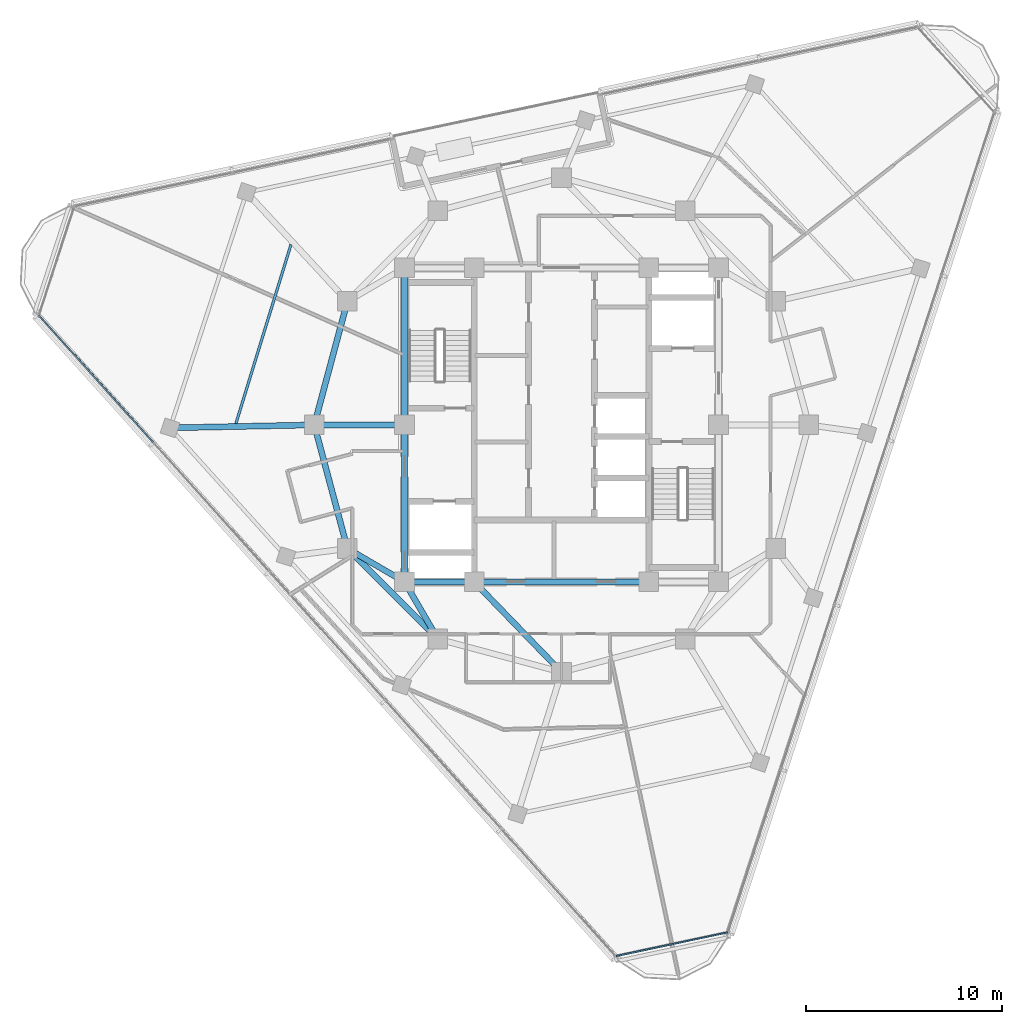
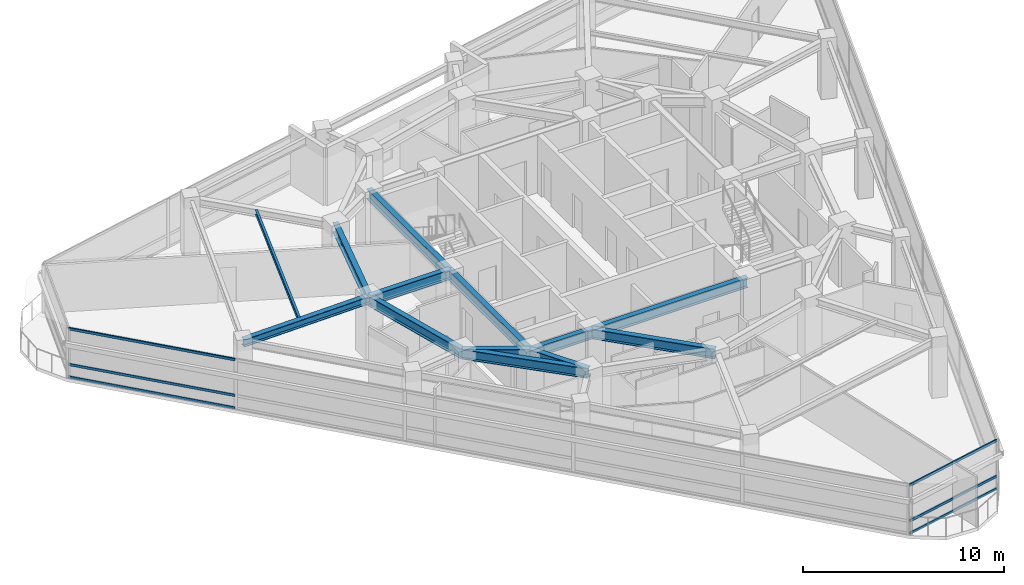
# One storey, part 3 of 15: 13 beams, 6 members, 2 elements without a shape of their own.
"""IFC4 building model written with IfcOpenShell, lengths in metres."""

from ifc_helpers import new_model, si_unit, direction, frame, origin, origin_2d, place, context, subcontext, project, spatial, rectangle, i_section, extrude, material, layer, layer_set, material_profile, profile_set, type_object, element, aggregate, save


model = new_model("IFC4")

# Units and contexts
model_context = context("Model", 3, precision=1e-05, world=origin(), true_north=direction((0.0, 1.0)))
body_context = subcontext(model_context, "Body", "Model", "MODEL_VIEW")
ifc_project = project(units=[si_unit("LENGTHUNIT", "METRE"), si_unit("AREAUNIT", "SQUARE_METRE"), si_unit("VOLUMEUNIT", "CUBIC_METRE"), si_unit("PLANEANGLEUNIT", "RADIAN"), si_unit("MASSUNIT", "GRAM", prefix="KILO")], contexts=[model_context])

# Site, building, storey
site_placement = place(None, origin())
site = spatial("IfcSite", under=ifc_project, at=site_placement, CompositionType="ELEMENT")
building_placement = place(site_placement, origin())
building = spatial("IfcBuilding", under=site, at=building_placement, Name="Terralouvre Media Tower", CompositionType="ELEMENT")
storey_placement = place(building_placement, frame((0.0, 0.0, 290.60009765625)))
storey = spatial("IfcBuildingStorey", under=building, at=storey_placement, Name="L75", CompositionType="ELEMENT", Elevation=290.60009765625)

# Beam
ifc_material_1 = material(Name="Structural steel S355J2", Category="steel")
ifc_material_profile_1 = material_profile(ifc_material_1, i_section(OverallWidth=0.135009765625, OverallDepth=0.27001953125, WebThickness=0.006591796875, FlangeThickness=0.01025390625, at=origin_2d()), Name="IPE 270")
ifc_profile_set_1 = profile_set([ifc_material_profile_1], Name="Structural steel S355J2")
beam_type_1 = type_object("IfcBeamType", Name="Composite Floor Joist J-IPE270 (IPE 270)", PredefinedType="JOIST", material=ifc_profile_set_1)
beam_1_placement = place(storey_placement, frame((-13.788330078125, 9.187744140625, 3.364990234375), z_axis=(-0.294195495195, -0.955745264496, 0.0), x_axis=(0.955745264496, -0.294195495195, 0.0)))
element("IfcBeam", 1, at=beam_1_placement, inside=storey, type_object=beam_type_1, Name="L75 Framing Beam JT-L75-06", PredefinedType="JOIST", context=body_context, shape_type="SweptSolid", body=[
    extrude(i_section(OverallWidth=0.135009765625, OverallDepth=0.27001953125, WebThickness=0.006591796875, FlangeThickness=0.01025390625, at=origin_2d()), origin(), (0.0, 0.0, 1.0), 9.544189453125),
])

# Curtain wall, members
ifc_material_2 = material(Name="Low-iron laminated double glazing with solar-control coating", Category="glass")
ifc_layer_1 = layer(ifc_material_2, 0.1650390625, Name="Faceted Glass-Point Crown Curtain Wall CW-06")
ifc_layer_set_1 = layer_set([ifc_layer_1], Name="Low-iron laminated double glazing with solar-control coating")
curtain_wall_type_1 = type_object("IfcCurtainWallType", Name="Faceted Glass-Point Crown Curtain Wall CW-06", PredefinedType="NOTDEFINED", material=ifc_layer_set_1)
curtain_wall_1_placement = place(storey_placement, origin())
curtain_wall_1 = element("IfcCurtainWall", 2, at=curtain_wall_1_placement, inside=storey, type_object=curtain_wall_type_1, Name="L75 Facade Curtain Wall F2", PredefinedType="NOTDEFINED")
ifc_material_3 = material(Name="Anodised extruded aluminium 6063-T6", Category="aluminium")
ifc_material_profile_2 = material_profile(ifc_material_3, rectangle(XDim=0.074951171875, YDim=0.14990234375, at=origin_2d()), Name="ALU 75x150")
ifc_profile_set_2 = profile_set([ifc_material_profile_2], Name="Anodised extruded aluminium 6063-T6")
member_type = type_object("IfcMemberType", Name="Curtain-Wall Horizontal Transom TR-150", PredefinedType="USERDEFINED", material=ifc_profile_set_2)
member_1_placement = place(storey_placement, frame((-26.64306640625, 5.59423828125, 0.037353515625), z_axis=(0.669130389016, -0.743145021174, 0.0), x_axis=(0.743145021174, 0.669130389016, 0.0)))
member_1 = element("IfcMember", 3, at=member_1_placement, type_object=member_type, Name="CW-06 transom 1.1", ObjectType="TRANSOM", PredefinedType="USERDEFINED", context=body_context, shape_type="SweptSolid", body=[
    extrude(rectangle(XDim=0.074951171875, YDim=0.14990234375, at=origin_2d()), origin(), (0.0, 0.0, 1.0), 8.71142578125),
])
member_2_placement = place(storey_placement, frame((-26.64306640625, 5.59423828125, 0.7998046875), z_axis=(0.669130389016, -0.743145021174, 0.0), x_axis=(0.743145021174, 0.669130389016, 0.0)))
member_2 = element("IfcMember", 4, at=member_2_placement, type_object=member_type, Name="CW-06 transom 1.2", ObjectType="TRANSOM", PredefinedType="USERDEFINED", context=body_context, shape_type="SweptSolid", body=[
    extrude(rectangle(XDim=0.074951171875, YDim=0.14990234375, at=origin_2d()), origin(), (0.0, 0.0, 1.0), 8.71142578125),
])
member_3_placement = place(storey_placement, frame((-26.64306640625, 5.59423828125, 2.96240234375), z_axis=(0.669130389016, -0.743145021174, 0.0), x_axis=(0.743145021174, 0.669130389016, 0.0)))
member_3 = element("IfcMember", 5, at=member_3_placement, type_object=member_type, Name="CW-06 transom 1.3", ObjectType="TRANSOM", PredefinedType="USERDEFINED", context=body_context, shape_type="SweptSolid", body=[
    extrude(rectangle(XDim=0.074951171875, YDim=0.14990234375, at=origin_2d()), origin(), (0.0, 0.0, 1.0), 8.71142578125),
])
aggregate(curtain_wall_1, [member_1, member_2, member_3])

ifc_material_4 = material(Name="Low-iron laminated double glazing with solar-control coating", Category="glass")
ifc_layer_2 = layer(ifc_material_4, 0.1650390625, Name="Rounded Wind-Corner Curved Glazing CW-04")
ifc_layer_set_2 = layer_set([ifc_layer_2], Name="Low-iron laminated double glazing with solar-control coating")
curtain_wall_type_2 = type_object("IfcCurtainWallType", Name="Rounded Wind-Corner Curved Glazing CW-04", PredefinedType="NOTDEFINED", material=ifc_layer_set_2)
curtain_wall_2_placement = place(storey_placement, origin())
curtain_wall_2 = element("IfcCurtainWall", 6, at=curtain_wall_2_placement, inside=storey, type_object=curtain_wall_type_2, Name="L75 Rounded Wind-Corner Curtain Wall C0", PredefinedType="NOTDEFINED")
member_4_placement = place(storey_placement, frame((2.783935546875, -27.0654296875, 0.037353515625), z_axis=(0.978142503597, 0.207935669515, 0.0), x_axis=(-0.207935669515, 0.978142503597, 0.0)))
member_4 = element("IfcMember", 7, at=member_4_placement, type_object=member_type, Name="CW-04 transom 1.1", ObjectType="TRANSOM", PredefinedType="USERDEFINED", context=body_context, shape_type="SweptSolid", body=[
    extrude(rectangle(XDim=0.074951171875, YDim=0.14990234375, at=origin_2d()), origin(), (0.0, 0.0, 1.0), 5.808349609375),
])
member_5_placement = place(storey_placement, frame((2.783935546875, -27.0654296875, 0.7998046875), z_axis=(0.978142503597, 0.207935669515, 0.0), x_axis=(-0.207935669515, 0.978142503597, 0.0)))
member_5 = element("IfcMember", 8, at=member_5_placement, type_object=member_type, Name="CW-04 transom 1.2", ObjectType="TRANSOM", PredefinedType="USERDEFINED", context=body_context, shape_type="SweptSolid", body=[
    extrude(rectangle(XDim=0.074951171875, YDim=0.14990234375, at=origin_2d()), origin(), (0.0, 0.0, 1.0), 5.808349609375),
])
member_6_placement = place(storey_placement, frame((2.783935546875, -27.0654296875, 2.96240234375), z_axis=(0.978142503597, 0.207935669515, 0.0), x_axis=(-0.207935669515, 0.978142503597, 0.0)))
member_6 = element("IfcMember", 9, at=member_6_placement, type_object=member_type, Name="CW-04 transom 1.3", ObjectType="TRANSOM", PredefinedType="USERDEFINED", context=body_context, shape_type="SweptSolid", body=[
    extrude(rectangle(XDim=0.074951171875, YDim=0.14990234375, at=origin_2d()), origin(), (0.0, 0.0, 1.0), 5.808349609375),
])
aggregate(curtain_wall_2, [member_4, member_5, member_6])

# Beams
ifc_material_5 = material(Name="Structural steel S355J2", Category="steel")
ifc_material_profile_3 = material_profile(ifc_material_5, i_section(OverallWidth=0.300048828125, OverallDepth=0.449951171875, WebThickness=0.013916015625, FlangeThickness=0.02587890625, at=origin_2d()), Name="HEB 450")
ifc_profile_set_3 = profile_set([ifc_material_profile_3], Name="Structural steel S355J2")
beam_type_2 = type_object("IfcBeamType", Name="Primary Floor Girder B-HEB450 (HEB 450)", PredefinedType="BEAM", material=ifc_profile_set_3)
beam_2_placement = place(storey_placement, frame((-12.60009765625, 0.0, 3.27490234375), z_axis=(-0.999787942628, -0.020592954534, 0.0), x_axis=(0.020592954534, -0.999787942628, 0.0)))
element("IfcBeam", 10, at=beam_2_placement, inside=storey, type_object=beam_type_2, Name="L75 Framing Beam BM-L75-RD01", PredefinedType="BEAM", context=body_context, shape_type="SweptSolid", body=[
    extrude(i_section(OverallWidth=0.300048828125, OverallDepth=0.449951171875, WebThickness=0.013916015625, FlangeThickness=0.02587890625, at=origin_2d()), origin(), (0.0, 0.0, 1.0), 7.350341796875),
])
ifc_material_6 = material(Name="Structural steel S460M", Category="steel")
ifc_material_profile_4 = material_profile(ifc_material_6, i_section(OverallWidth=0.300048828125, OverallDepth=0.60009765625, WebThickness=0.015380859375, FlangeThickness=0.030029296875, at=origin_2d()), Name="HEB 600")
ifc_profile_set_4 = profile_set([ifc_material_profile_4], Name="Structural steel S460M")
beam_type_3 = type_object("IfcBeamType", Name="Primary Floor Girder B-HEB600 (HEB 600)", PredefinedType="BEAM", material=ifc_profile_set_4)
beam_3_placement = place(storey_placement, frame((-8.0, -8.0, 3.199951171875), z_axis=(1.0, 0.0, 0.0), x_axis=(0.0, 1.0, 0.0)))
element("IfcBeam", 11, at=beam_3_placement, inside=storey, type_object=beam_type_3, Name="L75 Framing Beam BM-L75-CPR01", PredefinedType="BEAM", context=body_context, shape_type="SweptSolid", body=[
    extrude(i_section(OverallWidth=0.300048828125, OverallDepth=0.60009765625, WebThickness=0.015380859375, FlangeThickness=0.030029296875, at=origin_2d()), origin(), (0.0, 0.0, 1.0), 3.550048828125),
])
beam_4_placement = place(storey_placement, frame((-4.449951171875, -8.0, 3.199951171875), z_axis=(1.0, 0.0, 0.0), x_axis=(0.0, 1.0, 0.0)))
element("IfcBeam", 12, at=beam_4_placement, inside=storey, type_object=beam_type_3, Name="L75 Framing Beam BM-L75-CPR02", PredefinedType="BEAM", context=body_context, shape_type="SweptSolid", body=[
    extrude(i_section(OverallWidth=0.300048828125, OverallDepth=0.60009765625, WebThickness=0.015380859375, FlangeThickness=0.030029296875, at=origin_2d()), origin(), (0.0, 0.0, 1.0), 8.89990234375),
])
for number, where, z_axis, x_axis, name in (
    (13, (-8.0, 8.0, 3.199951171875), (0.0, -1.0, 0.0), (1.0, 0.0, 0.0), "L75 Framing Beam BM-L75-CPR09"),
    (14, (-8.0, 0.0, 3.199951171875), (0.0, -1.0, 0.0), (1.0, 0.0, 0.0), "L75 Framing Beam BM-L75-CPR10"),
):
    element("IfcBeam", number, at=place(storey_placement, frame(where, z_axis=z_axis, x_axis=x_axis)), inside=storey, type_object=beam_type_3, Name=name, PredefinedType="BEAM", context=body_context, shape_type="SweptSolid", body=[
        extrude(i_section(OverallWidth=0.300048828125, OverallDepth=0.60009765625, WebThickness=0.015380859375, FlangeThickness=0.030029296875, at=origin_2d()), origin(), (0.0, 0.0, 1.0), 8.0),
    ])
beam_5_placement = place(storey_placement, frame((-10.911865234375, -6.300048828125, 3.199951171875), z_axis=(0.707106781187, -0.707106781187, 0.0), x_axis=(0.707106781187, 0.707106781187, 0.0)))
element("IfcBeam", 15, at=beam_5_placement, inside=storey, type_object=beam_type_3, Name="L75 Framing Beam BM-L75-MR01", PredefinedType="BEAM", context=body_context, shape_type="SweptSolid", body=[
    extrude(i_section(OverallWidth=0.300048828125, OverallDepth=0.60009765625, WebThickness=0.015380859375, FlangeThickness=0.030029296875, at=origin_2d()), origin(), (0.0, 0.0, 1.0), 6.52197265625),
])
for number, where, z_axis, x_axis, name in (
    (16, (-10.911865234375, 6.300048828125, 3.199951171875), (-0.258838989821, -0.965920481897, 0.0), (0.965920481897, -0.258838989821, 0.0), "L75 Framing Beam BM-L75-MR11"),
    (17, (-12.60009765625, 0.0, 3.199951171875), (0.258838989821, -0.965920481897, 0.0), (0.965920481897, 0.258838989821, 0.0), "L75 Framing Beam BM-L75-MR12"),
):
    element("IfcBeam", number, at=place(storey_placement, frame(where, z_axis=z_axis, x_axis=x_axis)), inside=storey, type_object=beam_type_3, Name=name, PredefinedType="BEAM", context=body_context, shape_type="SweptSolid", body=[
        extrude(i_section(OverallWidth=0.300048828125, OverallDepth=0.60009765625, WebThickness=0.015380859375, FlangeThickness=0.030029296875, at=origin_2d()), origin(), (0.0, 0.0, 1.0), 6.522216796875),
    ])
for number, where, z_axis, x_axis, name in (
    (18, (-8.0, -8.0, 3.199951171875), (-0.863602894532, 0.504172629717, 0.0), (-0.504172629717, -0.863602894532, 0.0), "L75 Framing Beam BM-L75-CM01"),
    (19, (-8.0, -8.0, 3.199951171875), (0.504172629717, -0.863602894532, 0.0), (0.863602894532, 0.504172629717, 0.0), "L75 Framing Beam BM-L75-CM02"),
):
    element("IfcBeam", number, at=place(storey_placement, frame(where, z_axis=z_axis, x_axis=x_axis)), inside=storey, type_object=beam_type_3, Name=name, PredefinedType="BEAM", context=body_context, shape_type="SweptSolid", body=[
        extrude(i_section(OverallWidth=0.300048828125, OverallDepth=0.60009765625, WebThickness=0.015380859375, FlangeThickness=0.030029296875, at=origin_2d()), origin(), (0.0, 0.0, 1.0), 3.371826171875),
    ])
beam_6_placement = place(storey_placement, frame((-4.449951171875, -8.0, 3.199951171875), z_axis=(0.695279715726, -0.718739255155, 0.0), x_axis=(0.718739255155, 0.695279715726, 0.0)))
element("IfcBeam", 20, at=beam_6_placement, inside=storey, type_object=beam_type_3, Name="L75 Framing Beam BM-L75-CM03", PredefinedType="BEAM", context=body_context, shape_type="SweptSolid", body=[
    extrude(i_section(OverallWidth=0.300048828125, OverallDepth=0.60009765625, WebThickness=0.015380859375, FlangeThickness=0.030029296875, at=origin_2d()), origin(), (0.0, 0.0, 1.0), 6.400146484375),
])
beam_7_placement = place(storey_placement, frame((-8.0, 0.0, 3.199951171875), z_axis=(-1.0, 0.0, 0.0), x_axis=(0.0, -1.0, 0.0)))
element("IfcBeam", 21, at=beam_7_placement, inside=storey, type_object=beam_type_3, Name="L75 Framing Beam BM-L75-CM12", PredefinedType="BEAM", context=body_context, shape_type="SweptSolid", body=[
    extrude(i_section(OverallWidth=0.300048828125, OverallDepth=0.60009765625, WebThickness=0.015380859375, FlangeThickness=0.030029296875, at=origin_2d()), origin(), (0.0, 0.0, 1.0), 4.60009765625),
])

save(model, "model.ifc")
